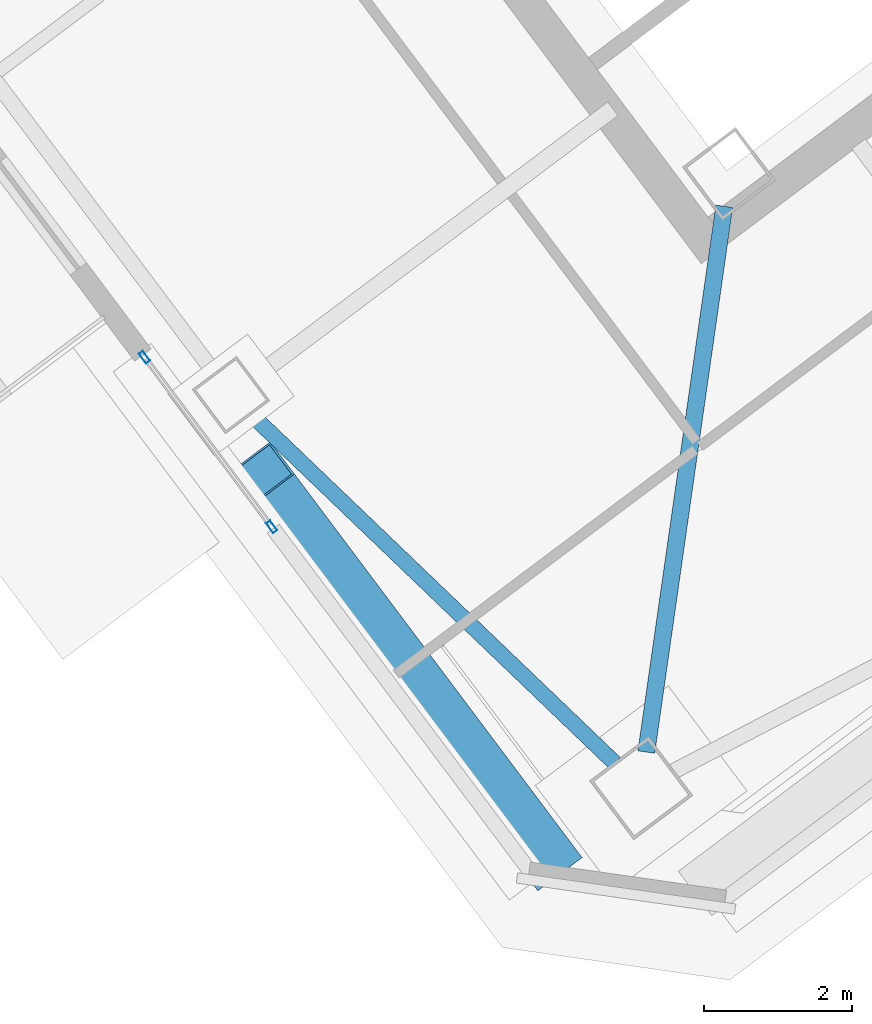
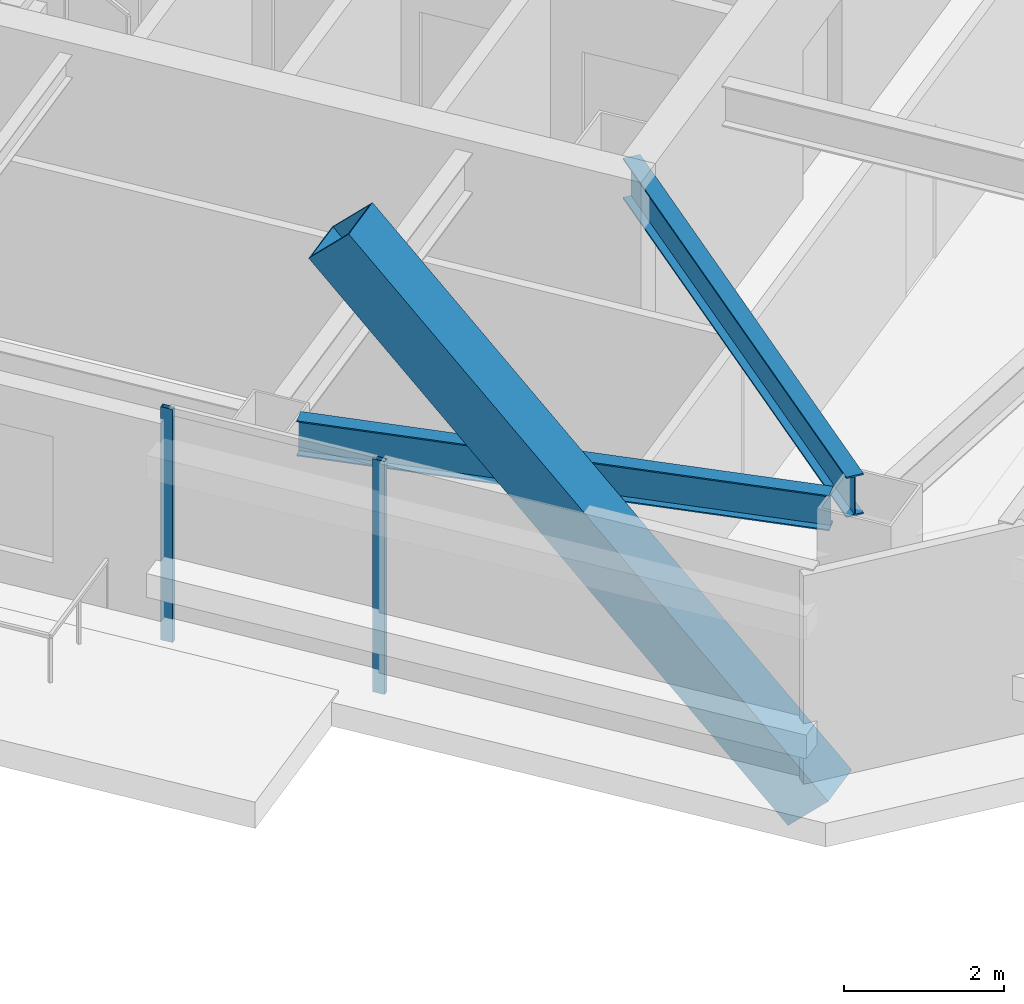
# One storey, part 15 of 39: 3 members, 2 beams, 1 element without a shape of its own.
"""IFC4 building model written with IfcOpenShell, lengths in metres."""

from ifc_helpers import new_model, si_unit, direction, frame, origin, origin_2d, place, context, subcontext, project, spatial, hollow_rectangle, i_section, extrude, material, material_profile, profile_set, type_object, element, aggregate, save


model = new_model("IFC4")

# Units and contexts
model_context = context("Model", 3, precision=1e-05, world=origin(), true_north=direction((0.0, 1.0)))
body_context = subcontext(model_context, "Body", "Model", "MODEL_VIEW")
ifc_project = project(units=[si_unit("LENGTHUNIT", "METRE"), si_unit("AREAUNIT", "SQUARE_METRE"), si_unit("VOLUMEUNIT", "CUBIC_METRE"), si_unit("PLANEANGLEUNIT", "RADIAN"), si_unit("MASSUNIT", "GRAM", prefix="KILO")], contexts=[model_context])

# Site, building, storey
site_placement = place(None, origin())
site = spatial("IfcSite", under=ifc_project, at=site_placement, CompositionType="ELEMENT")
building_placement = place(site_placement, origin())
building = spatial("IfcBuilding", under=site, at=building_placement, Name="Tashvorn Skyway Center", CompositionType="ELEMENT")
storey_placement = place(building_placement, frame((0.0, 0.0, 232.60009765625)))
storey = spatial("IfcBuildingStorey", under=building, at=storey_placement, Name="L63", CompositionType="ELEMENT", Elevation=232.60009765625)

# Beams
ifc_material_1 = material(Name="Steel ASTM A992 Grade 50", Category="steel")
ifc_material_profile_1 = material_profile(ifc_material_1, i_section(OverallWidth=0.22998046875, OverallDepth=0.616943359375, WebThickness=0.01318359375, FlangeThickness=0.022216796875, at=origin_2d()), Name="W24X94")
ifc_profile_set_1 = profile_set([ifc_material_profile_1], Name="Steel ASTM A992 Grade 50")
beam_type_1 = type_object("IfcBeamType", Name="BM-BEAM-W24X94", PredefinedType="BEAM", material=ifc_profile_set_1)
beam_1_placement = place(storey_placement, frame((111.469970703125, 14.2900390625, 3.0615234375), z_axis=(0.141430501853, 0.989948187102, 0.0), x_axis=(-0.989948187102, 0.141430501853, 0.0)))
element("IfcBeam", 1, at=beam_1_placement, inside=storey, type_object=beam_type_1, Name="Tower 2 L63 Primary Floor Girder MC-SW", PredefinedType="BEAM", context=body_context, shape_type="SweptSolid", body=[
    extrude(i_section(OverallWidth=0.22998046875, OverallDepth=0.616943359375, WebThickness=0.01318359375, FlangeThickness=0.022216796875, at=origin_2d()), origin(), (0.0, 0.0, 1.0), 7.474609375),
])
ifc_material_profile_2 = material_profile(ifc_material_1, i_section(OverallWidth=0.2109375, OverallDepth=0.5390625, WebThickness=0.01171875, FlangeThickness=0.018798828125, at=origin_2d()), Name="W21X73")
ifc_profile_set_2 = profile_set([ifc_material_profile_2], Name="Steel ASTM A992 Grade 50")
beam_type_2 = type_object("IfcBeamType", Name="BM-SPANDREL-W21X73", PredefinedType="SPANDREL", material=ifc_profile_set_2)
beam_2_placement = place(storey_placement, frame((106.107177734375, 18.8740234375, 3.100341796875), z_axis=(0.72187522213, -0.69202323926, 0.0), x_axis=(0.69202323926, 0.72187522213, 0.0)))
element("IfcBeam", 2, at=beam_2_placement, inside=storey, type_object=beam_type_2, Name="Tower 2 L63 Spandrel Beam 12", PredefinedType="SPANDREL", context=body_context, shape_type="SweptSolid", body=[
    extrude(i_section(OverallWidth=0.2109375, OverallDepth=0.5390625, WebThickness=0.01171875, FlangeThickness=0.018798828125, at=origin_2d()), origin(), (0.0, 0.0, 1.0), 6.837158203125),
])

# Curtain wall, members
ifc_material_2 = material(Name="Thermally broken bronze-anodized aluminium 6063-T6", Category="aluminium")
curtain_wall_type = type_object("IfcCurtainWallType", Name="CW-CW-Z5", PredefinedType="NOTDEFINED", material=ifc_material_2)
curtain_wall_placement = place(storey_placement, origin())
curtain_wall = element("IfcCurtainWall", 3, at=curtain_wall_placement, inside=storey, type_object=curtain_wall_type, Name="Tower 2 L63 West Curtain Wall L Glazing Group 1", PredefinedType="NOTDEFINED")
ifc_material_profile_3 = material_profile(ifc_material_2, hollow_rectangle(XDim=0.070068359375, YDim=0.1650390625, WallThickness=0.00390625, at=origin_2d()), Name="ALU-MULL-70x165")
ifc_profile_set_3 = profile_set([ifc_material_profile_3], Name="Thermally broken bronze-anodized aluminium 6063-T6")
member_type_1 = type_object("IfcMemberType", Name="CWM-CW-Z5", PredefinedType="MULLION", material=ifc_profile_set_3)
member_1_placement = place(storey_placement, frame((106.39111328125, 17.34521484375, 0.0), z_axis=(0.0, 0.0, 1.0), x_axis=(-0.80000407695, -0.599994564028, 0.0)))
member_1 = element("IfcMember", 4, at=member_1_placement, type_object=member_type_1, Name="CW-Z5 mullion 1", PredefinedType="MULLION", context=body_context, shape_type="SweptSolid", body=[
    extrude(hollow_rectangle(XDim=0.070068359375, YDim=0.1650390625, WallThickness=0.00390625, at=origin_2d()), origin(), (0.0, 0.0, 1.0), 3.5498046875),
])
member_2_placement = place(storey_placement, frame((104.6669921875, 19.64404296875, 0.0), z_axis=(0.0, 0.0, 1.0), x_axis=(-0.80000407695, -0.599994564028, 0.0)))
member_2 = element("IfcMember", 5, at=member_2_placement, type_object=member_type_1, Name="CW-Z5 mullion 2", PredefinedType="MULLION", context=body_context, shape_type="SweptSolid", body=[
    extrude(hollow_rectangle(XDim=0.070068359375, YDim=0.1650390625, WallThickness=0.00390625, at=origin_2d()), origin(), (0.0, 0.0, 1.0), 3.5498046875),
])
aggregate(curtain_wall, [member_1, member_2])

# Member
ifc_material_3 = material(Name="Steel ASTM A572 Grade 50", Category="steel")
ifc_material_profile_4 = material_profile(ifc_material_3, hollow_rectangle(XDim=0.75, YDim=0.75, WallThickness=0.031982421875, at=origin_2d()), Name="BOX750x750x32")
ifc_profile_set_4 = profile_set([ifc_material_profile_4], Name="Steel ASTM A572 Grade 50")
member_type_2 = type_object("IfcMemberType", Name="MEM-MB-750", PredefinedType="BRACE", material=ifc_profile_set_4)
member_3_placement = place(storey_placement, frame((110.135986328125, 12.85205078125, -0.2001953125), z_axis=(-0.412988629158, 0.550660123478, 0.725405969508), x_axis=(-0.800004507257, -0.599993990277, 0.0)))
element("IfcMember", 6, at=member_3_placement, inside=storey, type_object=member_type_2, Name="Tower 2 Zone 6 W Chevron Mega-Brace R1", PredefinedType="BRACE", context=body_context, shape_type="SweptSolid", body=[
    extrude(hollow_rectangle(XDim=0.75, YDim=0.75, WallThickness=0.031982421875, at=origin_2d()), origin(), (0.0, 0.0, 1.0), 9.443115234375),
])

save(model, "model.ifc")
